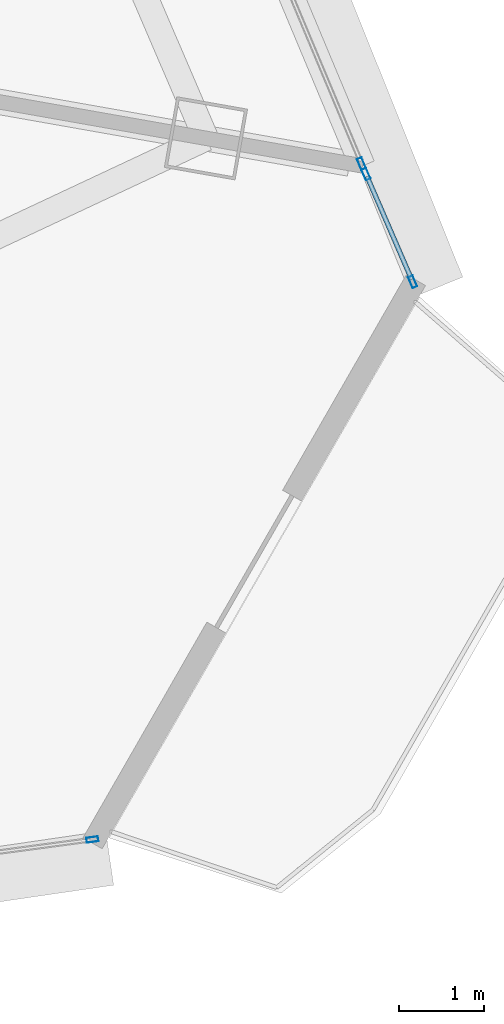
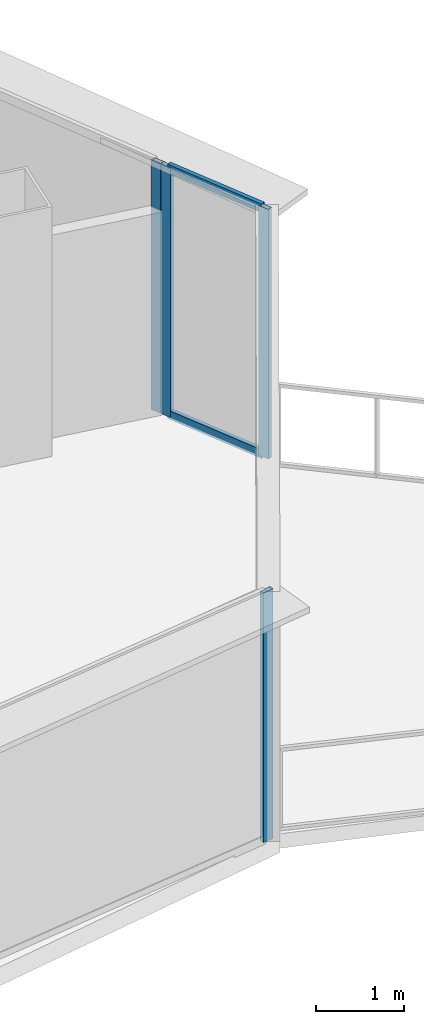
# One storey, part 27 of 37: 6 members, 3 elements without a shape of their own.
"""IFC4 building model written with IfcOpenShell, lengths in metres."""

from ifc_helpers import new_model, si_unit, direction, frame, origin, origin_2d, place, context, subcontext, project, spatial, hollow_rectangle, extrude, source, transform, mapped, material, layer, layer_set, material_profile, profile_set, type_object, element, aggregate, save


model = new_model("IFC4")

# Units and contexts
model_context = context("Model", 3, precision=1e-05, world=origin(), true_north=direction((0.0, 1.0)))
body_context = subcontext(model_context, "Body", "Model", "MODEL_VIEW")
ifc_project = project(units=[si_unit("LENGTHUNIT", "METRE"), si_unit("AREAUNIT", "SQUARE_METRE"), si_unit("VOLUMEUNIT", "CUBIC_METRE"), si_unit("PLANEANGLEUNIT", "RADIAN"), si_unit("MASSUNIT", "GRAM", prefix="KILO"), si_unit("THERMODYNAMICTEMPERATUREUNIT", "KELVIN"), si_unit("POWERUNIT", "WATT")], contexts=[model_context])

# Site, building, storey
site_placement = place(None, origin())
site = spatial("IfcSite", under=ifc_project, at=site_placement, CompositionType="ELEMENT")
building_placement = place(site_placement, origin())
building = spatial("IfcBuilding", under=site, at=building_placement, Name="Yunzhuo Pagoda Commons", CompositionType="ELEMENT")
storey_placement = place(building_placement, frame((0.0, 0.0, 259.449951171875)))
storey = spatial("IfcBuildingStorey", under=building, at=storey_placement, Name="L65", CompositionType="ELEMENT", Elevation=259.449951171875)

# Curtain wall, member
ifc_material = material(Name="Anodized aluminium 6063-T6", Category="aluminium")
ifc_layer = layer(ifc_material, 0.139892578125)
ifc_layer_set = layer_set([ifc_layer], Name="Anodized aluminium 6063-T6")
curtain_wall_type = type_object("IfcCurtainWallType", Name="CW-HI High-Zone Ribbon Curtain Wall", PredefinedType="NOTDEFINED", material=ifc_layer_set)
curtain_wall_1_placement = place(storey_placement, origin())
curtain_wall_1 = element("IfcCurtainWall", 1, at=curtain_wall_1_placement, inside=storey, type_object=curtain_wall_type, Name="L65 curtain wall CW-L65-F1B5", PredefinedType="NOTDEFINED")
ifc_material_profile_1 = material_profile(ifc_material, hollow_rectangle(XDim=0.06005859375, YDim=0.139892578125, WallThickness=0.00341796875, at=origin_2d()), Name="Anodized aluminium 6063-T6")
ifc_profile_set_1 = profile_set([ifc_material_profile_1], Name="Anodized aluminium 6063-T6")
member_type_1 = type_object("IfcMemberType", Name="CW-HI-M Mullion RHS 140x60x3.5", PredefinedType="MULLION", material=ifc_profile_set_1)
shared_shape_1 = source(origin(), body_context, "Body", "SweptSolid", [
    extrude(hollow_rectangle(XDim=0.06005859375, YDim=0.139892578125, WallThickness=0.00341796875, at=origin_2d()), origin(), (0.0, 0.0, 1.0), 3.469970703125),
])
member_1_placement = place(storey_placement, frame((78.5908203125, 19.772216796875, 0.0), z_axis=(0.0, 0.0, 1.0), x_axis=(-0.132663916926, 0.991161079314, 0.0)))
member_1 = element("IfcMember", 2, at=member_1_placement, type_object=member_type_1, Name="CW mullion 2", PredefinedType="MULLION", context=body_context, shape_type="MappedRepresentation", body=[
    mapped(shared_shape_1, transform((0.0, 0.0, 0.0), scale=1.0)),
])
aggregate(curtain_wall_1, [member_1])

curtain_wall_2_placement = place(storey_placement, origin())
curtain_wall_2 = element("IfcCurtainWall", 3, at=curtain_wall_2_placement, inside=storey, type_object=curtain_wall_type, Name="L65 curtain wall CW-L65-F2B2", PredefinedType="NOTDEFINED")
member_2_placement = place(storey_placement, frame((81.7744140625, 27.770263671875, 0.0), z_axis=(0.0, 0.0, 1.0), x_axis=(-0.922450521644, -0.38611531324, 0.0)))
member_2 = element("IfcMember", 4, at=member_2_placement, type_object=member_type_1, Name="CW mullion 1", PredefinedType="MULLION", context=body_context, shape_type="MappedRepresentation", body=[
    mapped(shared_shape_1, transform((0.0, 0.0, 0.0), scale=1.0)),
])
aggregate(curtain_wall_2, [member_2])

# Curtain wall, members
curtain_wall_3_placement = place(storey_placement, origin())
curtain_wall_3 = element("IfcCurtainWall", 5, at=curtain_wall_3_placement, inside=storey, type_object=curtain_wall_type, Name="L65 curtain wall CW-L65-F2B1", PredefinedType="NOTDEFINED")
member_3_placement = place(storey_placement, frame((82.379638671875, 26.37158203125, 0.0), z_axis=(0.0, 0.0, 1.0), x_axis=(-0.917707471295, -0.397256840254, 0.0)))
member_3 = element("IfcMember", 6, at=member_3_placement, type_object=member_type_1, Name="CW mullion 1", PredefinedType="MULLION", context=body_context, shape_type="MappedRepresentation", body=[
    mapped(shared_shape_1, transform((0.0, 0.0, 0.0), scale=1.0)),
])
member_4_placement = place(storey_placement, frame((81.827880859375, 27.646240234375, 0.0), z_axis=(0.0, 0.0, 1.0), x_axis=(-0.917707471295, -0.397256840254, 0.0)))
member_4 = element("IfcMember", 7, at=member_4_placement, type_object=member_type_1, Name="CW mullion 2", PredefinedType="MULLION", context=body_context, shape_type="MappedRepresentation", body=[
    mapped(shared_shape_1, transform((0.0, 0.0, 0.0), scale=1.0)),
])
ifc_material_profile_2 = material_profile(ifc_material, hollow_rectangle(XDim=0.054931640625, YDim=0.1201171875, WallThickness=0.00341796875, at=origin_2d()), Name="Anodized aluminium 6063-T6")
ifc_profile_set_2 = profile_set([ifc_material_profile_2], Name="Anodized aluminium 6063-T6")
member_type_2 = type_object("IfcMemberType", Name="CW-HI-T Transom RHS 120x55x3.5", PredefinedType="USERDEFINED", material=ifc_profile_set_2)
shared_shape_2 = source(origin(), body_context, "Body", "SweptSolid", [
    extrude(hollow_rectangle(XDim=0.054931640625, YDim=0.1201171875, WallThickness=0.00341796875, at=origin_2d()), origin(), (0.0, 0.0, 1.0), 1.328857421875),
])
member_5_placement = place(storey_placement, frame((82.36767578125, 26.399169921875, 0.027587890625), z_axis=(-0.39722069625, 0.917723116452, 0.0), x_axis=(-0.917723116452, -0.39722069625, 0.0)))
member_5 = element("IfcMember", 8, at=member_5_placement, type_object=member_type_2, Name="CW transom 1.1", ObjectType="TRANSOM", PredefinedType="USERDEFINED", context=body_context, shape_type="MappedRepresentation", body=[
    mapped(shared_shape_2, transform((0.0, 0.0, 0.0), scale=1.0)),
])
member_6_placement = place(storey_placement, frame((82.36767578125, 26.399169921875, 3.442626953125), z_axis=(-0.39722069625, 0.917723116452, 0.0), x_axis=(-0.917723116452, -0.39722069625, 0.0)))
member_6 = element("IfcMember", 9, at=member_6_placement, type_object=member_type_2, Name="CW transom 1.2", ObjectType="TRANSOM", PredefinedType="USERDEFINED", context=body_context, shape_type="MappedRepresentation", body=[
    mapped(shared_shape_2, transform((0.0, 0.0, 0.0), scale=1.0)),
])
aggregate(curtain_wall_3, [member_3, member_4, member_5, member_6])

save(model, "model.ifc")
